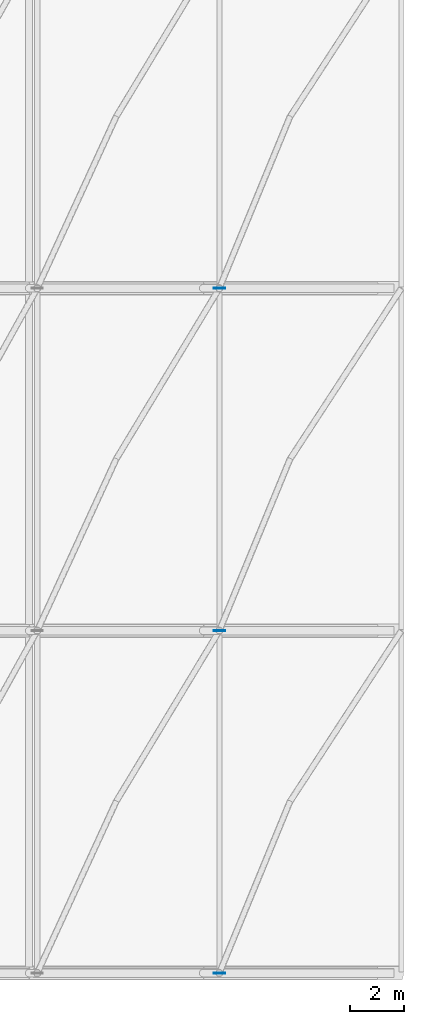
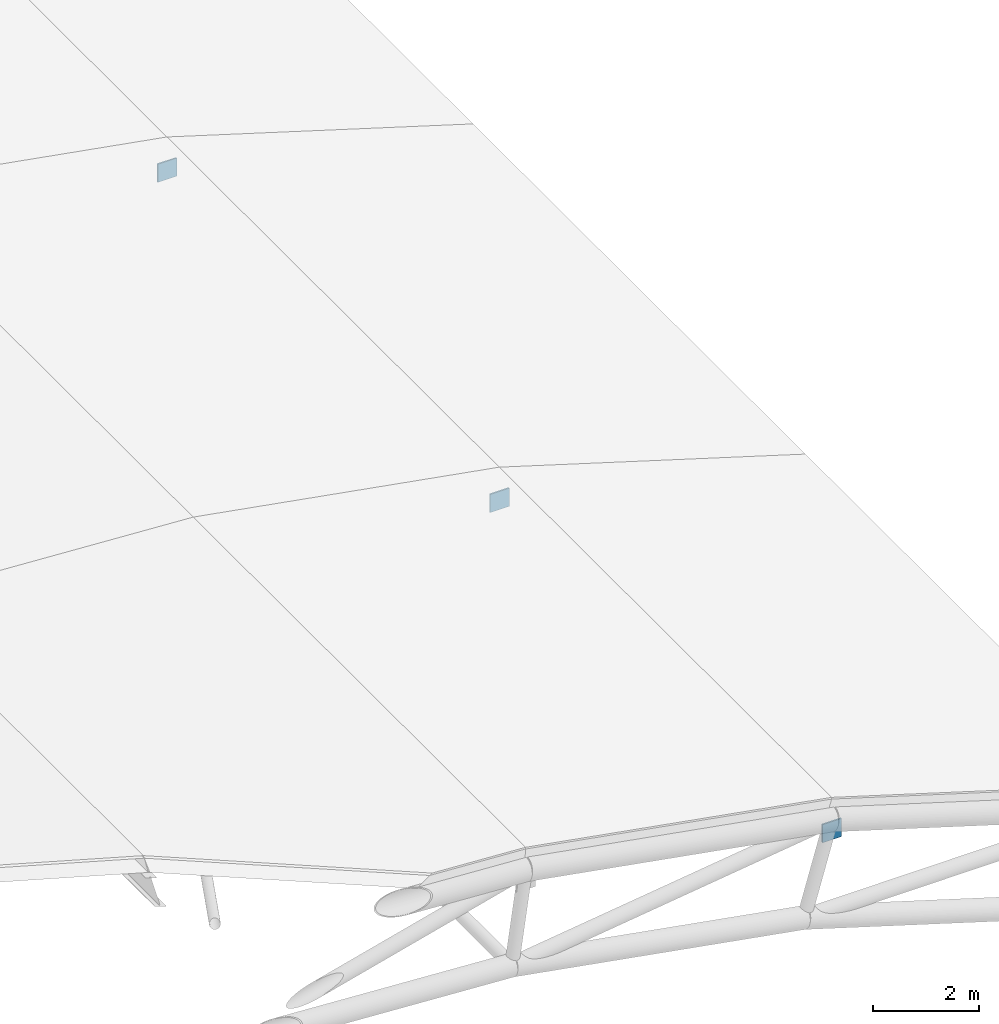
# One storey, part 14 of 18: 3 plates.
"""IFC4 building model written with IfcOpenShell, lengths in metres."""

from ifc_helpers import new_model, si_unit, derived_unit, direction, frame, origin, origin_2d, place, context, subcontext, project, spatial, rectangle, extrude, material, layer, layer_set, type_object, element, save


model = new_model("IFC4")

# Units and contexts
model_context = context("Model", 3, precision=1e-05, world=origin(), true_north=direction((0.0, 1.0)))
body_context = subcontext(model_context, "Body", "Model", "MODEL_VIEW")
ifc_project = project(units=[si_unit("LENGTHUNIT", "METRE"), si_unit("AREAUNIT", "SQUARE_METRE"), si_unit("VOLUMEUNIT", "CUBIC_METRE"), si_unit("PLANEANGLEUNIT", "RADIAN"), si_unit("MASSUNIT", "GRAM", prefix="KILO"), derived_unit("THERMALTRANSMITTANCEUNIT", [(si_unit("MASSUNIT", "GRAM", prefix="KILO"), 1), (si_unit("TIMEUNIT", "SECOND"), -3), (si_unit("THERMODYNAMICTEMPERATUREUNIT", "KELVIN"), -1)])], contexts=[model_context])

# Site, building, storey
site_placement = place(None, origin())
site = spatial("IfcSite", under=ifc_project, at=site_placement, CompositionType="ELEMENT")
building_placement = place(site_placement, origin())
building = spatial("IfcBuilding", under=site, at=building_placement, Name="Valcora Ridge Arena", CompositionType="ELEMENT")
storey_placement = place(building_placement, frame((0.0, 0.0, 39.800048828125)))
storey = spatial("IfcBuildingStorey", under=building, at=storey_placement, Name="RF", CompositionType="ELEMENT", Elevation=39.800048828125)

# Plates
ifc_material = material(Name="Steel ASTM A572 Grade 50", Category="steel")
ifc_layer = layer(ifc_material, 0.031982421875, Name="Steel ASTM A572 Grade 50")
ifc_layer_set = layer_set([ifc_layer], Name="Steel ASTM A572 Grade 50")
plate_type = type_object("IfcPlateType", Name="TY-PLATE-PL-NODE-32", PredefinedType="USERDEFINED", material=ifc_layer_set)
for number, where, z_axis, x_axis, name in (
    (1, (69.199951171875, 20.0, -0.910888671875), (0.0, 0.0, 1.0), (1.0, 0.0, 0.0), "PL-NODE-32 SF-GP-0008"),
    (2, (69.199951171875, 32.60009765625, -0.910888671875), (0.0, 0.0, 1.0), (1.0, 0.0, 0.0), "PL-NODE-32 SF-GP-0022"),
    (3, (69.199951171875, 45.199951171875, -0.910888671875), (0.0, 0.0, 1.0), (1.0, 0.0, 0.0), "PL-NODE-32 SF-GP-0036"),
):
    element("IfcPlate", number, at=place(storey_placement, frame(where, z_axis=z_axis, x_axis=x_axis)), inside=storey, type_object=plate_type, Name=name, ObjectType="GUSSET_PLATE", PredefinedType="USERDEFINED", context=body_context, shape_type="SweptSolid", body=[
        extrude(rectangle(XDim=0.419921875, YDim=0.031982421875, at=origin_2d()), origin(), (0.0, 0.0, 1.0), 0.419921875),
    ])

save(model, "model.ifc")
